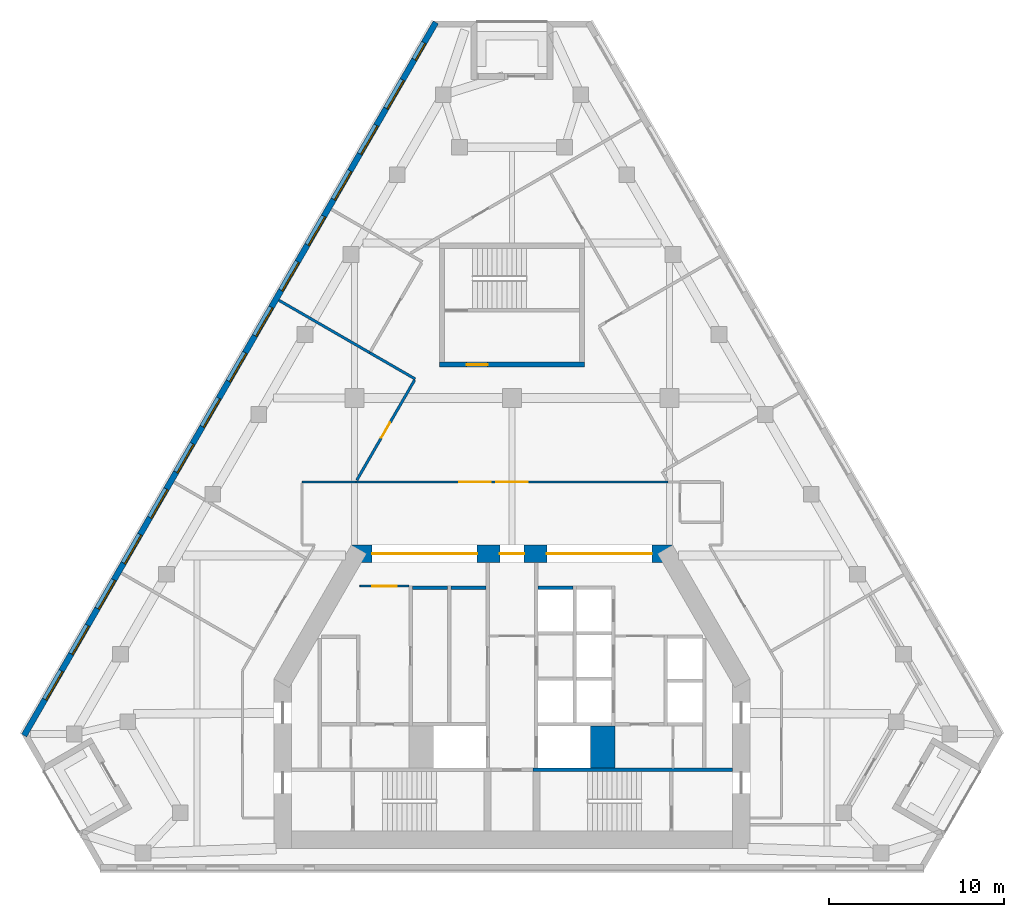
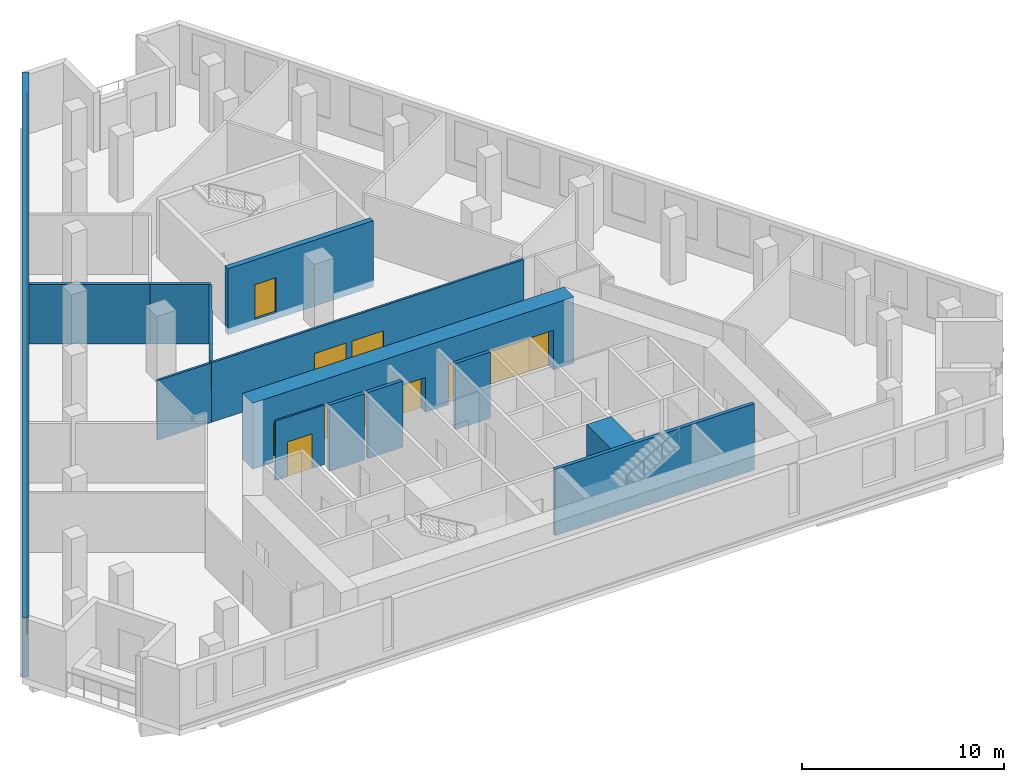
# One storey, part 5 of 9: 15 windows, 14 walls, 8 doors, 23 openings.
"""IFC4 building model written with IfcOpenShell, lengths in metres."""

from ifc_helpers import new_model, si_unit, direction, frame, frame_2d, origin, place, context, subcontext, project, spatial, rectangle, extrude, material, layer, layer_set, type_object, element, fill, save


model = new_model("IFC4")

# Units and contexts
model_context = context("Model", 3, precision=1e-05, world=origin(), true_north=direction((0.0, 1.0)))
body_context = subcontext(model_context, "Body", "Model", "MODEL_VIEW")
ifc_project = project(units=[si_unit("LENGTHUNIT", "METRE"), si_unit("AREAUNIT", "SQUARE_METRE"), si_unit("VOLUMEUNIT", "CUBIC_METRE"), si_unit("PLANEANGLEUNIT", "RADIAN"), si_unit("MASSUNIT", "GRAM", prefix="KILO")], contexts=[model_context])

# Site, building, storey
site_placement = place(None, origin())
site = spatial("IfcSite", under=ifc_project, at=site_placement, CompositionType="ELEMENT")
building_placement = place(site_placement, origin())
building = spatial("IfcBuilding", under=site, at=building_placement, Name="Fogline Exchange Tower", CompositionType="ELEMENT")
storey_placement = place(building_placement, frame((0.0, 0.0, 186.10009765625)))
storey = spatial("IfcBuildingStorey", under=building, at=storey_placement, Name="L41", CompositionType="ELEMENT", Elevation=186.10009765625)

# Wall, opening, door
ifc_material_1 = material(Name="Blockwork partition", Category="masonry")
ifc_layer_1 = layer(ifc_material_1, 0.10009765625)
ifc_layer_set_1 = layer_set([ifc_layer_1], Name="CW10")
wall_type_1 = type_object("IfcWallType", Name="CW10", PredefinedType="PARTITIONING", material=ifc_layer_set_1)
wall_1_placement = place(storey_placement, frame((-8.699951171875, 16.25, 0.0), z_axis=(0.0, 0.0, 1.0), x_axis=(1.0, 0.0, 0.0)))
wall_1 = element("IfcWall", 1, at=wall_1_placement, inside=storey, type_object=wall_type_1, Name="Lift lobby partition", PredefinedType="PARTITIONING", context=body_context, shape_type="SweptSolid", body=[
    extrude(rectangle(XDim=2.800048828125, YDim=0.10009765625, at=frame_2d((1.39990234375, 0.0))), origin(), (0.0, 0.0, 1.0), 3.599853515625),
])
opening_1_placement = place(wall_1_placement, frame((0.699951171875, 0.0, 0.0)))
opening_1 = element("IfcOpeningElement", 2, at=opening_1_placement, cuts=wall_1, Name="Opening T13-C006", PredefinedType="OPENING", context=body_context, shape_type="SweptSolid", body=[
    extrude(rectangle(XDim=1.39990234375, YDim=2.10009765625, at=frame_2d((0.699951171875, 1.050048828125))), frame((0.0, 0.06005859375, 0.0), z_axis=(0.0, -1.0, 0.0), x_axis=(1.0, 0.0, 0.0)), (0.0, 0.0, 1.0), 0.1201171875),
])
ifc_material_2 = material(Name="Steel and timber fire door", Category="steel")
door_type_1 = type_object("IfcDoorType", Name="D-LB1", OperationType="DOUBLE_DOOR_SINGLE_SWING", PredefinedType="DOOR", material=ifc_material_2)
door_1_placement = place(opening_1_placement, origin())
door_1 = element("IfcDoor", 3, at=door_1_placement, inside=storey, type_object=door_type_1, Name="Door to lift lobby", OperationType="DOUBLE_DOOR_SINGLE_SWING", OverallHeight=2.10009765625, OverallWidth=1.39990234375, PredefinedType="DOOR", context=body_context, shape_type="SweptSolid", body=[
    extrude(rectangle(XDim=1.39990234375, YDim=2.10009765625, at=frame_2d((0.699951171875, 1.050048828125))), frame((0.0, 0.02490234375, 0.0), z_axis=(0.0, -1.0, 0.0), x_axis=(1.0, 0.0, 0.0)), (0.0, 0.0, 1.0), 0.050048828125),
])
fill(opening_1, door_1)

# Walls
ifc_material_3 = material(Name="Concrete C60", Category="concrete")
ifc_layer_2 = layer(ifc_material_3, 1.39990234375)
ifc_layer_set_2 = layer_set([ifc_layer_2], Name="CW140")
wall_type_2 = type_object("IfcWallType", Name="CW140", PredefinedType="SOLIDWALL", material=ifc_layer_set_2)
wall_2_placement = place(storey_placement, frame((5.199951171875, 5.85009765625, -0.400146484375), z_axis=(0.0, 0.0, 1.0), x_axis=(0.0, 1.0, 0.0)))
element("IfcWall", 4, at=wall_2_placement, inside=storey, type_object=wall_type_2, Name="Lift shaft block wall", PredefinedType="SOLIDWALL", context=body_context, shape_type="SweptSolid", body=[
    extrude(rectangle(XDim=2.39990234375, YDim=1.39990234375, at=frame_2d((1.199951171875, 0.0))), origin(), (0.0, 0.0, 1.0), 4.0),
])
ifc_material_4 = material(Name="Concrete C40", Category="concrete")
ifc_layer_3 = layer(ifc_material_4, 0.199951171875)
ifc_layer_set_3 = layer_set([ifc_layer_3], Name="CW20R")
wall_type_3 = type_object("IfcWallType", Name="CW20R", PredefinedType="SOLIDWALL", material=ifc_layer_set_3)
wall_3_placement = place(storey_placement, frame((1.199951171875, 5.75, -0.400146484375), z_axis=(0.0, 0.0, 1.0), x_axis=(1.0, 0.0, 0.0)))
element("IfcWall", 5, at=wall_3_placement, inside=storey, type_object=wall_type_3, Name="Stair enclosure wall", PredefinedType="SOLIDWALL", context=body_context, shape_type="SweptSolid", body=[
    extrude(rectangle(XDim=11.400146484375, YDim=0.199951171875, at=frame_2d((5.7001953125, 0.0))), origin(), (0.0, 0.0, 1.0), 4.0),
])
ifc_layer_4 = layer(ifc_material_4, 0.199951171875)
ifc_layer_set_4 = layer_set([ifc_layer_4], Name="CW20S")
wall_type_4 = type_object("IfcWallType", Name="CW20S", PredefinedType="SOLIDWALL", material=ifc_layer_set_4)
for number, where, z_axis, x_axis, name in (
    (6, (-5.699951171875, 16.14990234375, -0.400146484375), (0.0, 0.0, 1.0), (1.0, 0.0, 0.0), "Lift shaft wall"),
    (7, (-3.5, 16.14990234375, -0.400146484375), (0.0, 0.0, 1.0), (1.0, 0.0, 0.0), "Lift shaft wall"),
    (8, (1.5, 16.14990234375, -0.400146484375), (0.0, 0.0, 1.0), (1.0, 0.0, 0.0), "Lift shaft wall"),
):
    element("IfcWall", number, at=place(storey_placement, frame(where, z_axis=z_axis, x_axis=x_axis)), inside=storey, type_object=wall_type_4, Name=name, PredefinedType="SOLIDWALL", context=body_context, shape_type="SweptSolid", body=[
        extrude(rectangle(XDim=2.0, YDim=0.199951171875, at=frame_2d((1.0, 0.0))), origin(), (0.0, 0.0, 1.0), 4.0),
    ])

# Wall, opening, door
ifc_layer_5 = layer(ifc_material_4, 0.300048828125)
ifc_layer_set_5 = layer_set([ifc_layer_5], Name="CW30")
wall_type_5 = type_object("IfcWallType", Name="CW30", PredefinedType="SOLIDWALL", material=ifc_layer_set_5)
wall_4_placement = place(storey_placement, frame((-4.14990234375, 28.906982421875, -0.400146484375), z_axis=(0.0, 0.0, 1.0), x_axis=(1.0, 0.0, 0.0)))
wall_4 = element("IfcWall", 9, at=wall_4_placement, inside=storey, type_object=wall_type_5, Name="Stair enclosure wall ST3", PredefinedType="SOLIDWALL", context=body_context, shape_type="SweptSolid", body=[
    extrude(rectangle(XDim=8.2998046875, YDim=0.300048828125, at=frame_2d((4.14990234375, 0.0))), origin(), (0.0, 0.0, 1.0), 4.0),
])
opening_2_placement = place(wall_4_placement, frame((1.550048828125, 0.0, 0.39990234375)))
opening_2 = element("IfcOpeningElement", 10, at=opening_2_placement, cuts=wall_4, Name="Opening T13-C022", PredefinedType="OPENING", context=body_context, shape_type="SweptSolid", body=[
    extrude(rectangle(XDim=1.199951171875, YDim=2.10009765625, at=frame_2d((0.60009765625, 1.050048828125))), frame((0.0, 0.16015625, 0.0), z_axis=(0.0, -1.0, 0.0), x_axis=(1.0, 0.0, 0.0)), (0.0, 0.0, 1.0), 0.320068359375),
])
door_type_2 = type_object("IfcDoorType", Name="D-FR1", OperationType="SINGLE_SWING_RIGHT", PredefinedType="DOOR", material=ifc_material_2)
door_2_placement = place(opening_2_placement, origin())
door_2 = element("IfcDoor", 11, at=door_2_placement, inside=storey, type_object=door_type_2, Name="Front room door ST3", OperationType="SINGLE_SWING_LEFT", OverallHeight=2.10009765625, OverallWidth=1.199951171875, PredefinedType="DOOR", context=body_context, shape_type="SweptSolid", body=[
    extrude(rectangle(XDim=1.199951171875, YDim=2.10009765625, at=frame_2d((0.60009765625, 1.050048828125))), frame((0.0, 0.02490234375, 0.0), z_axis=(0.0, -1.0, 0.0), x_axis=(1.0, 0.0, 0.0)), (0.0, 0.0, 1.0), 0.050048828125),
])
fill(opening_2, door_2)

# Wall, openings, windows
ifc_material_5 = material(Name="Brick masonry", Category="masonry")
ifc_layer_6 = layer(ifc_material_5, 0.340087890625)
ifc_layer_set_6 = layer_set([ifc_layer_6], Name="FW1")
wall_type_6 = type_object("IfcWallType", Name="FW1", PredefinedType="SOLIDWALL", material=ifc_layer_set_6)
wall_5_placement = place(storey_placement, frame((-4.352783203125, 48.466552734375, 0.0), z_axis=(0.0, 0.0, 1.0), x_axis=(-0.499999966388, -0.86602542319, 0.0)))
wall_5 = element("IfcWall", 12, at=wall_5_placement, inside=storey, type_object=wall_type_6, Name="Brick wall L41 W", PredefinedType="SOLIDWALL", context=body_context, shape_type="SweptSolid", body=[
    extrude(rectangle(XDim=47.0625, YDim=0.340087890625, at=frame_2d((23.53125, 0.0))), origin(), (0.0, 0.0, 1.0), 3.599853515625),
])
opening_3_placement = place(wall_5_placement, frame((3.796875, 0.0, 0.89990234375)))
opening_3 = element("IfcOpeningElement", 13, at=opening_3_placement, cuts=wall_5, Name="Opening W1", PredefinedType="OPENING", context=body_context, shape_type="SweptSolid", body=[
    extrude(rectangle(XDim=1.885009765625, YDim=2.39990234375, at=frame_2d((0.9423828125, 1.199951171875))), frame((0.0, 0.18017578125, 0.0), z_axis=(0.0, -1.0, 0.0), x_axis=(1.0, 0.0, 0.0)), (0.0, 0.0, 1.0), 0.360107421875),
])
opening_4_placement = place(wall_5_placement, frame((6.796875, 0.0, 0.89990234375)))
opening_4 = element("IfcOpeningElement", 14, at=opening_4_placement, cuts=wall_5, Name="Opening W1", PredefinedType="OPENING", context=body_context, shape_type="SweptSolid", body=[
    extrude(rectangle(XDim=1.885009765625, YDim=2.39990234375, at=frame_2d((0.9423828125, 1.199951171875))), frame((0.0, 0.18017578125, 0.0), z_axis=(0.0, -1.0, 0.0), x_axis=(1.0, 0.0, 0.0)), (0.0, 0.0, 1.0), 0.360107421875),
])
opening_5_placement = place(wall_5_placement, frame((9.796875, 0.0, 0.89990234375)))
opening_5 = element("IfcOpeningElement", 15, at=opening_5_placement, cuts=wall_5, Name="Opening W1", PredefinedType="OPENING", context=body_context, shape_type="SweptSolid", body=[
    extrude(rectangle(XDim=1.885009765625, YDim=2.39990234375, at=frame_2d((0.9423828125, 1.199951171875))), frame((0.0, 0.18017578125, 0.0), z_axis=(0.0, -1.0, 0.0), x_axis=(1.0, 0.0, 0.0)), (0.0, 0.0, 1.0), 0.360107421875),
])
opening_6_placement = place(wall_5_placement, frame((12.796875, 0.0, 0.89990234375)))
opening_6 = element("IfcOpeningElement", 16, at=opening_6_placement, cuts=wall_5, Name="Opening W1", PredefinedType="OPENING", context=body_context, shape_type="SweptSolid", body=[
    extrude(rectangle(XDim=1.885009765625, YDim=2.39990234375, at=frame_2d((0.9423828125, 1.199951171875))), frame((0.0, 0.18017578125, 0.0), z_axis=(0.0, -1.0, 0.0), x_axis=(1.0, 0.0, 0.0)), (0.0, 0.0, 1.0), 0.360107421875),
])
opening_7_placement = place(wall_5_placement, frame((15.796875, 0.0, 0.89990234375)))
opening_7 = element("IfcOpeningElement", 17, at=opening_7_placement, cuts=wall_5, Name="Opening W1", PredefinedType="OPENING", context=body_context, shape_type="SweptSolid", body=[
    extrude(rectangle(XDim=1.885009765625, YDim=2.39990234375, at=frame_2d((0.9423828125, 1.199951171875))), frame((0.0, 0.18017578125, 0.0), z_axis=(0.0, -1.0, 0.0), x_axis=(1.0, 0.0, 0.0)), (0.0, 0.0, 1.0), 0.360107421875),
])
opening_8_placement = place(wall_5_placement, frame((18.796875, 0.0, 0.89990234375)))
opening_8 = element("IfcOpeningElement", 18, at=opening_8_placement, cuts=wall_5, Name="Opening W1", PredefinedType="OPENING", context=body_context, shape_type="SweptSolid", body=[
    extrude(rectangle(XDim=1.885009765625, YDim=2.39990234375, at=frame_2d((0.9423828125, 1.199951171875))), frame((0.0, 0.18017578125, 0.0), z_axis=(0.0, -1.0, 0.0), x_axis=(1.0, 0.0, 0.0)), (0.0, 0.0, 1.0), 0.360107421875),
])
opening_9_placement = place(wall_5_placement, frame((21.796875, 0.0, 0.89990234375)))
opening_9 = element("IfcOpeningElement", 19, at=opening_9_placement, cuts=wall_5, Name="Opening W1", PredefinedType="OPENING", context=body_context, shape_type="SweptSolid", body=[
    extrude(rectangle(XDim=1.885009765625, YDim=2.39990234375, at=frame_2d((0.9423828125, 1.199951171875))), frame((0.0, 0.18017578125, 0.0), z_axis=(0.0, -1.0, 0.0), x_axis=(1.0, 0.0, 0.0)), (0.0, 0.0, 1.0), 0.360107421875),
])
opening_10_placement = place(wall_5_placement, frame((24.796875, 0.0, 0.89990234375)))
opening_10 = element("IfcOpeningElement", 20, at=opening_10_placement, cuts=wall_5, Name="Opening W1", PredefinedType="OPENING", context=body_context, shape_type="SweptSolid", body=[
    extrude(rectangle(XDim=1.885009765625, YDim=2.39990234375, at=frame_2d((0.9423828125, 1.199951171875))), frame((0.0, 0.18017578125, 0.0), z_axis=(0.0, -1.0, 0.0), x_axis=(1.0, 0.0, 0.0)), (0.0, 0.0, 1.0), 0.360107421875),
])
opening_11_placement = place(wall_5_placement, frame((27.796875, 0.0, 0.89990234375)))
opening_11 = element("IfcOpeningElement", 21, at=opening_11_placement, cuts=wall_5, Name="Opening W1", PredefinedType="OPENING", context=body_context, shape_type="SweptSolid", body=[
    extrude(rectangle(XDim=1.885009765625, YDim=2.39990234375, at=frame_2d((0.9423828125, 1.199951171875))), frame((0.0, 0.18017578125, 0.0), z_axis=(0.0, -1.0, 0.0), x_axis=(1.0, 0.0, 0.0)), (0.0, 0.0, 1.0), 0.360107421875),
])
opening_12_placement = place(wall_5_placement, frame((30.796875, 0.0, 0.89990234375)))
opening_12 = element("IfcOpeningElement", 22, at=opening_12_placement, cuts=wall_5, Name="Opening W1", PredefinedType="OPENING", context=body_context, shape_type="SweptSolid", body=[
    extrude(rectangle(XDim=1.885009765625, YDim=2.39990234375, at=frame_2d((0.9423828125, 1.199951171875))), frame((0.0, 0.18017578125, 0.0), z_axis=(0.0, -1.0, 0.0), x_axis=(1.0, 0.0, 0.0)), (0.0, 0.0, 1.0), 0.360107421875),
])
opening_13_placement = place(wall_5_placement, frame((33.796875, 0.0, 0.89990234375)))
opening_13 = element("IfcOpeningElement", 23, at=opening_13_placement, cuts=wall_5, Name="Opening W1", PredefinedType="OPENING", context=body_context, shape_type="SweptSolid", body=[
    extrude(rectangle(XDim=1.885009765625, YDim=2.39990234375, at=frame_2d((0.9423828125, 1.199951171875))), frame((0.0, 0.18017578125, 0.0), z_axis=(0.0, -1.0, 0.0), x_axis=(1.0, 0.0, 0.0)), (0.0, 0.0, 1.0), 0.360107421875),
])
opening_14_placement = place(wall_5_placement, frame((36.796875, 0.0, 0.89990234375)))
opening_14 = element("IfcOpeningElement", 24, at=opening_14_placement, cuts=wall_5, Name="Opening W1", PredefinedType="OPENING", context=body_context, shape_type="SweptSolid", body=[
    extrude(rectangle(XDim=1.885009765625, YDim=2.39990234375, at=frame_2d((0.9423828125, 1.199951171875))), frame((0.0, 0.18017578125, 0.0), z_axis=(0.0, -1.0, 0.0), x_axis=(1.0, 0.0, 0.0)), (0.0, 0.0, 1.0), 0.360107421875),
])
opening_15_placement = place(wall_5_placement, frame((39.796875, 0.0, 0.89990234375)))
opening_15 = element("IfcOpeningElement", 25, at=opening_15_placement, cuts=wall_5, Name="Opening W1", PredefinedType="OPENING", context=body_context, shape_type="SweptSolid", body=[
    extrude(rectangle(XDim=1.885009765625, YDim=2.39990234375, at=frame_2d((0.9423828125, 1.199951171875))), frame((0.0, 0.18017578125, 0.0), z_axis=(0.0, -1.0, 0.0), x_axis=(1.0, 0.0, 0.0)), (0.0, 0.0, 1.0), 0.360107421875),
])
opening_16_placement = place(wall_5_placement, frame((42.796875, 0.0, 0.89990234375)))
opening_16 = element("IfcOpeningElement", 26, at=opening_16_placement, cuts=wall_5, Name="Opening W1", PredefinedType="OPENING", context=body_context, shape_type="SweptSolid", body=[
    extrude(rectangle(XDim=1.885009765625, YDim=2.39990234375, at=frame_2d((0.9423828125, 1.199951171875))), frame((0.0, 0.18017578125, 0.0), z_axis=(0.0, -1.0, 0.0), x_axis=(1.0, 0.0, 0.0)), (0.0, 0.0, 1.0), 0.360107421875),
])
opening_17_placement = place(wall_5_placement, frame((1.341064453125, 0.0, 0.89990234375)))
opening_17 = element("IfcOpeningElement", 27, at=opening_17_placement, cuts=wall_5, Name="Opening W4", PredefinedType="OPENING", context=body_context, shape_type="SweptSolid", body=[
    extrude(rectangle(XDim=1.114990234375, YDim=2.39990234375, at=frame_2d((0.5576171875, 1.199951171875))), frame((0.0, 0.18017578125, 0.0), z_axis=(0.0, -1.0, 0.0), x_axis=(1.0, 0.0, 0.0)), (0.0, 0.0, 1.0), 0.360107421875),
])
ifc_material_6 = material(Name="Aluminium and glass", Category="aluminium")
window_type_1 = type_object("IfcWindowType", Name="W1", PartitioningType="SINGLE_PANEL", PredefinedType="WINDOW", material=ifc_material_6)
window_1_placement = place(opening_3_placement, origin())
window_1 = element("IfcWindow", 28, at=window_1_placement, inside=storey, type_object=window_type_1, Name="W1 W1", OverallHeight=2.39990234375, OverallWidth=1.885009765625, PartitioningType="SINGLE_PANEL", PredefinedType="WINDOW", context=body_context, shape_type="SweptSolid", body=[
    extrude(rectangle(XDim=1.885009765625, YDim=2.39990234375, at=frame_2d((0.9423828125, 1.199951171875))), frame((0.0, 0.110107421875, 0.0), z_axis=(0.0, -1.0, 0.0), x_axis=(1.0, 0.0, 0.0)), (0.0, 0.0, 1.0), 0.06005859375),
])
fill(opening_3, window_1)
window_2_placement = place(opening_4_placement, origin())
window_2 = element("IfcWindow", 29, at=window_2_placement, inside=storey, type_object=window_type_1, Name="W1 W1", OverallHeight=2.39990234375, OverallWidth=1.885009765625, PartitioningType="SINGLE_PANEL", PredefinedType="WINDOW", context=body_context, shape_type="SweptSolid", body=[
    extrude(rectangle(XDim=1.885009765625, YDim=2.39990234375, at=frame_2d((0.9423828125, 1.199951171875))), frame((0.0, 0.110107421875, 0.0), z_axis=(0.0, -1.0, 0.0), x_axis=(1.0, 0.0, 0.0)), (0.0, 0.0, 1.0), 0.06005859375),
])
fill(opening_4, window_2)
window_3_placement = place(opening_5_placement, origin())
window_3 = element("IfcWindow", 30, at=window_3_placement, inside=storey, type_object=window_type_1, Name="W1 W1", OverallHeight=2.39990234375, OverallWidth=1.885009765625, PartitioningType="SINGLE_PANEL", PredefinedType="WINDOW", context=body_context, shape_type="SweptSolid", body=[
    extrude(rectangle(XDim=1.885009765625, YDim=2.39990234375, at=frame_2d((0.9423828125, 1.199951171875))), frame((0.0, 0.110107421875, 0.0), z_axis=(0.0, -1.0, 0.0), x_axis=(1.0, 0.0, 0.0)), (0.0, 0.0, 1.0), 0.06005859375),
])
fill(opening_5, window_3)
window_4_placement = place(opening_6_placement, origin())
window_4 = element("IfcWindow", 31, at=window_4_placement, inside=storey, type_object=window_type_1, Name="W1 W1", OverallHeight=2.39990234375, OverallWidth=1.885009765625, PartitioningType="SINGLE_PANEL", PredefinedType="WINDOW", context=body_context, shape_type="SweptSolid", body=[
    extrude(rectangle(XDim=1.885009765625, YDim=2.39990234375, at=frame_2d((0.9423828125, 1.199951171875))), frame((0.0, 0.110107421875, 0.0), z_axis=(0.0, -1.0, 0.0), x_axis=(1.0, 0.0, 0.0)), (0.0, 0.0, 1.0), 0.06005859375),
])
fill(opening_6, window_4)
window_5_placement = place(opening_7_placement, origin())
window_5 = element("IfcWindow", 32, at=window_5_placement, inside=storey, type_object=window_type_1, Name="W1 W1", OverallHeight=2.39990234375, OverallWidth=1.885009765625, PartitioningType="SINGLE_PANEL", PredefinedType="WINDOW", context=body_context, shape_type="SweptSolid", body=[
    extrude(rectangle(XDim=1.885009765625, YDim=2.39990234375, at=frame_2d((0.9423828125, 1.199951171875))), frame((0.0, 0.110107421875, 0.0), z_axis=(0.0, -1.0, 0.0), x_axis=(1.0, 0.0, 0.0)), (0.0, 0.0, 1.0), 0.06005859375),
])
fill(opening_7, window_5)
window_6_placement = place(opening_8_placement, origin())
window_6 = element("IfcWindow", 33, at=window_6_placement, inside=storey, type_object=window_type_1, Name="W1 W1", OverallHeight=2.39990234375, OverallWidth=1.885009765625, PartitioningType="SINGLE_PANEL", PredefinedType="WINDOW", context=body_context, shape_type="SweptSolid", body=[
    extrude(rectangle(XDim=1.885009765625, YDim=2.39990234375, at=frame_2d((0.9423828125, 1.199951171875))), frame((0.0, 0.110107421875, 0.0), z_axis=(0.0, -1.0, 0.0), x_axis=(1.0, 0.0, 0.0)), (0.0, 0.0, 1.0), 0.06005859375),
])
fill(opening_8, window_6)
window_7_placement = place(opening_9_placement, origin())
window_7 = element("IfcWindow", 34, at=window_7_placement, inside=storey, type_object=window_type_1, Name="W1 W1", OverallHeight=2.39990234375, OverallWidth=1.885009765625, PartitioningType="SINGLE_PANEL", PredefinedType="WINDOW", context=body_context, shape_type="SweptSolid", body=[
    extrude(rectangle(XDim=1.885009765625, YDim=2.39990234375, at=frame_2d((0.9423828125, 1.199951171875))), frame((0.0, 0.110107421875, 0.0), z_axis=(0.0, -1.0, 0.0), x_axis=(1.0, 0.0, 0.0)), (0.0, 0.0, 1.0), 0.06005859375),
])
fill(opening_9, window_7)
window_8_placement = place(opening_10_placement, origin())
window_8 = element("IfcWindow", 35, at=window_8_placement, inside=storey, type_object=window_type_1, Name="W1 W1", OverallHeight=2.39990234375, OverallWidth=1.885009765625, PartitioningType="SINGLE_PANEL", PredefinedType="WINDOW", context=body_context, shape_type="SweptSolid", body=[
    extrude(rectangle(XDim=1.885009765625, YDim=2.39990234375, at=frame_2d((0.9423828125, 1.199951171875))), frame((0.0, 0.110107421875, 0.0), z_axis=(0.0, -1.0, 0.0), x_axis=(1.0, 0.0, 0.0)), (0.0, 0.0, 1.0), 0.06005859375),
])
fill(opening_10, window_8)
window_9_placement = place(opening_11_placement, origin())
window_9 = element("IfcWindow", 36, at=window_9_placement, inside=storey, type_object=window_type_1, Name="W1 W1", OverallHeight=2.39990234375, OverallWidth=1.885009765625, PartitioningType="SINGLE_PANEL", PredefinedType="WINDOW", context=body_context, shape_type="SweptSolid", body=[
    extrude(rectangle(XDim=1.885009765625, YDim=2.39990234375, at=frame_2d((0.9423828125, 1.199951171875))), frame((0.0, 0.110107421875, 0.0), z_axis=(0.0, -1.0, 0.0), x_axis=(1.0, 0.0, 0.0)), (0.0, 0.0, 1.0), 0.06005859375),
])
fill(opening_11, window_9)
window_10_placement = place(opening_12_placement, origin())
window_10 = element("IfcWindow", 37, at=window_10_placement, inside=storey, type_object=window_type_1, Name="W1 W1", OverallHeight=2.39990234375, OverallWidth=1.885009765625, PartitioningType="SINGLE_PANEL", PredefinedType="WINDOW", context=body_context, shape_type="SweptSolid", body=[
    extrude(rectangle(XDim=1.885009765625, YDim=2.39990234375, at=frame_2d((0.9423828125, 1.199951171875))), frame((0.0, 0.110107421875, 0.0), z_axis=(0.0, -1.0, 0.0), x_axis=(1.0, 0.0, 0.0)), (0.0, 0.0, 1.0), 0.06005859375),
])
fill(opening_12, window_10)
window_11_placement = place(opening_13_placement, origin())
window_11 = element("IfcWindow", 38, at=window_11_placement, inside=storey, type_object=window_type_1, Name="W1 W1", OverallHeight=2.39990234375, OverallWidth=1.885009765625, PartitioningType="SINGLE_PANEL", PredefinedType="WINDOW", context=body_context, shape_type="SweptSolid", body=[
    extrude(rectangle(XDim=1.885009765625, YDim=2.39990234375, at=frame_2d((0.9423828125, 1.199951171875))), frame((0.0, 0.110107421875, 0.0), z_axis=(0.0, -1.0, 0.0), x_axis=(1.0, 0.0, 0.0)), (0.0, 0.0, 1.0), 0.06005859375),
])
fill(opening_13, window_11)
window_12_placement = place(opening_14_placement, origin())
window_12 = element("IfcWindow", 39, at=window_12_placement, inside=storey, type_object=window_type_1, Name="W1 W1", OverallHeight=2.39990234375, OverallWidth=1.885009765625, PartitioningType="SINGLE_PANEL", PredefinedType="WINDOW", context=body_context, shape_type="SweptSolid", body=[
    extrude(rectangle(XDim=1.885009765625, YDim=2.39990234375, at=frame_2d((0.9423828125, 1.199951171875))), frame((0.0, 0.110107421875, 0.0), z_axis=(0.0, -1.0, 0.0), x_axis=(1.0, 0.0, 0.0)), (0.0, 0.0, 1.0), 0.06005859375),
])
fill(opening_14, window_12)
window_13_placement = place(opening_15_placement, origin())
window_13 = element("IfcWindow", 40, at=window_13_placement, inside=storey, type_object=window_type_1, Name="W1 W1", OverallHeight=2.39990234375, OverallWidth=1.885009765625, PartitioningType="SINGLE_PANEL", PredefinedType="WINDOW", context=body_context, shape_type="SweptSolid", body=[
    extrude(rectangle(XDim=1.885009765625, YDim=2.39990234375, at=frame_2d((0.9423828125, 1.199951171875))), frame((0.0, 0.110107421875, 0.0), z_axis=(0.0, -1.0, 0.0), x_axis=(1.0, 0.0, 0.0)), (0.0, 0.0, 1.0), 0.06005859375),
])
fill(opening_15, window_13)
window_14_placement = place(opening_16_placement, origin())
window_14 = element("IfcWindow", 41, at=window_14_placement, inside=storey, type_object=window_type_1, Name="W1 W1", OverallHeight=2.39990234375, OverallWidth=1.885009765625, PartitioningType="SINGLE_PANEL", PredefinedType="WINDOW", context=body_context, shape_type="SweptSolid", body=[
    extrude(rectangle(XDim=1.885009765625, YDim=2.39990234375, at=frame_2d((0.9423828125, 1.199951171875))), frame((0.0, 0.110107421875, 0.0), z_axis=(0.0, -1.0, 0.0), x_axis=(1.0, 0.0, 0.0)), (0.0, 0.0, 1.0), 0.06005859375),
])
fill(opening_16, window_14)
window_type_2 = type_object("IfcWindowType", Name="W4", PartitioningType="SINGLE_PANEL", PredefinedType="WINDOW", material=ifc_material_6)
window_15_placement = place(opening_17_placement, origin())
window_15 = element("IfcWindow", 42, at=window_15_placement, inside=storey, type_object=window_type_2, Name="W4 W4", OverallHeight=2.39990234375, OverallWidth=1.114990234375, PartitioningType="SINGLE_PANEL", PredefinedType="WINDOW", context=body_context, shape_type="SweptSolid", body=[
    extrude(rectangle(XDim=1.114990234375, YDim=2.39990234375, at=frame_2d((0.5576171875, 1.199951171875))), frame((0.0, 0.110107421875, 0.0), z_axis=(0.0, -1.0, 0.0), x_axis=(1.0, 0.0, 0.0)), (0.0, 0.0, 1.0), 0.06005859375),
])
fill(opening_17, window_15)

# Wall, openings, doors
ifc_material_7 = material(Name="Plasterboard corridor partition with mineral wool, 2 layers each side")
ifc_layer_7 = layer(ifc_material_7, 0.125)
ifc_layer_set_7 = layer_set([ifc_layer_7], Name="PW2")
wall_type_7 = type_object("IfcWallType", Name="PW2", PredefinedType="PARTITIONING", material=ifc_layer_set_7)
wall_6_placement = place(storey_placement, frame((-8.92919921875, 22.199951171875, 0.0), z_axis=(0.0, 0.0, 1.0), x_axis=(1.0, 0.0, 0.0)))
wall_6 = element("IfcWall", 43, at=wall_6_placement, inside=storey, type_object=wall_type_7, Name="wall-L41-W010", PredefinedType="PARTITIONING", context=body_context, shape_type="SweptSolid", body=[
    extrude(rectangle(XDim=17.8583984375, YDim=0.125, at=frame_2d((8.92919921875, 0.0))), origin(), (0.0, 0.0, 1.0), 3.599853515625),
])
opening_18_placement = place(wall_6_placement, frame((5.90771484375, 0.0, 0.0)))
opening_18 = element("IfcOpeningElement", 44, at=opening_18_placement, cuts=wall_6, Name="Opening T13-D004", PredefinedType="OPENING", context=body_context, shape_type="SweptSolid", body=[
    extrude(rectangle(XDim=1.800048828125, YDim=2.10009765625, at=frame_2d((0.89990234375, 1.050048828125))), frame((0.0, 0.072509765625, 0.0), z_axis=(0.0, -1.0, 0.0), x_axis=(1.0, 0.0, 0.0)), (0.0, 0.0, 1.0), 0.14501953125),
])
opening_19_placement = place(wall_6_placement, frame((8.029296875, 0.0, 0.0)))
opening_19 = element("IfcOpeningElement", 45, at=opening_19_placement, cuts=wall_6, Name="Opening T13-D005", PredefinedType="OPENING", context=body_context, shape_type="SweptSolid", body=[
    extrude(rectangle(XDim=1.800048828125, YDim=2.10009765625, at=frame_2d((0.89990234375, 1.050048828125))), frame((0.0, 0.072509765625, 0.0), z_axis=(0.0, -1.0, 0.0), x_axis=(1.0, 0.0, 0.0)), (0.0, 0.0, 1.0), 0.14501953125),
])
ifc_material_8 = material(Name="Fire-rated timber door leaves with steel frame", Category="steel")
door_type_3 = type_object("IfcDoorType", Name="D4", OperationType="DOUBLE_DOOR_SINGLE_SWING", PredefinedType="DOOR", material=ifc_material_8)
door_3_placement = place(opening_18_placement, frame((1.800048828125, 0.0, 0.0), z_axis=(0.0, 0.0, 1.0), x_axis=(-1.0, 0.0, 0.0)))
door_3 = element("IfcDoor", 46, at=door_3_placement, inside=storey, type_object=door_type_3, Name="door-L41-D004", OperationType="DOUBLE_DOOR_SINGLE_SWING", OverallHeight=2.10009765625, OverallWidth=1.800048828125, PredefinedType="DOOR", context=body_context, shape_type="SweptSolid", body=[
    extrude(rectangle(XDim=1.800048828125, YDim=2.10009765625, at=frame_2d((0.89990234375, 1.050048828125))), frame((0.0, 0.02490234375, 0.0), z_axis=(0.0, -1.0, 0.0), x_axis=(1.0, 0.0, 0.0)), (0.0, 0.0, 1.0), 0.050048828125),
])
fill(opening_18, door_3)
door_4_placement = place(opening_19_placement, frame((1.800048828125, 0.0, 0.0), z_axis=(0.0, 0.0, 1.0), x_axis=(-1.0, 0.0, 0.0)))
door_4 = element("IfcDoor", 47, at=door_4_placement, inside=storey, type_object=door_type_3, Name="door-L41-D005", OperationType="DOUBLE_DOOR_SINGLE_SWING", OverallHeight=2.10009765625, OverallWidth=1.800048828125, PredefinedType="DOOR", context=body_context, shape_type="SweptSolid", body=[
    extrude(rectangle(XDim=1.800048828125, YDim=2.10009765625, at=frame_2d((0.89990234375, 1.050048828125))), frame((0.0, 0.02490234375, 0.0), z_axis=(0.0, -1.0, 0.0), x_axis=(1.0, 0.0, 0.0)), (0.0, 0.0, 1.0), 0.050048828125),
])
fill(opening_19, door_4)

# Wall
wall_7_placement = place(storey_placement, frame((-12.0, 22.199951171875, 0.0), z_axis=(0.0, 0.0, 1.0), x_axis=(1.0, 0.0, 0.0)))
element("IfcWall", 48, at=wall_7_placement, inside=storey, type_object=wall_type_7, Name="wall-L41-W013", PredefinedType="PARTITIONING", context=body_context, shape_type="SweptSolid", body=[
    extrude(rectangle(XDim=3.07080078125, YDim=0.125, at=frame_2d((1.535400390625, 0.0))), origin(), (0.0, 0.0, 1.0), 3.599853515625),
])

# Wall, opening, door
ifc_material_9 = material(Name="Plasterboard demising partition with mineral wool and acoustic board")
ifc_layer_8 = layer(ifc_material_9, 0.14990234375)
ifc_layer_set_8 = layer_set([ifc_layer_8], Name="PW3")
wall_type_8 = type_object("IfcWallType", Name="PW3", PredefinedType="PARTITIONING", material=ifc_layer_set_8)
wall_8_placement = place(storey_placement, frame((-8.87109375, 22.30029296875, 0.0), z_axis=(0.0, 0.0, 1.0), x_axis=(0.499975212895, 0.866039714153, 0.0)))
wall_8 = element("IfcWall", 49, at=wall_8_placement, inside=storey, type_object=wall_type_8, Name="wall-L41-W035", PredefinedType="PARTITIONING", context=body_context, shape_type="SweptSolid", body=[
    extrude(rectangle(XDim=6.605224609375, YDim=0.14990234375, at=frame_2d((3.302734375, 0.0))), origin(), (0.0, 0.0, 1.0), 3.599853515625),
])
opening_20_placement = place(wall_8_placement, frame((2.802734375, 0.0, 0.0)))
opening_20 = element("IfcOpeningElement", 50, at=opening_20_placement, cuts=wall_8, Name="Opening T13-D012", PredefinedType="OPENING", context=body_context, shape_type="SweptSolid", body=[
    extrude(rectangle(XDim=1.0, YDim=2.10009765625, at=frame_2d((0.5, 1.050048828125))), frame((0.0, 0.0849609375, 0.0), z_axis=(0.0, -1.0, 0.0), x_axis=(1.0, 0.0, 0.0)), (0.0, 0.0, 1.0), 0.169921875),
])
ifc_material_10 = material(Name="Fire-rated timber door leaf with steel frame", Category="steel")
door_type_4 = type_object("IfcDoorType", Name="D3", OperationType="SINGLE_SWING_LEFT", PredefinedType="DOOR", material=ifc_material_10)
door_5_placement = place(opening_20_placement, origin())
door_5 = element("IfcDoor", 51, at=door_5_placement, inside=storey, type_object=door_type_4, Name="door-L41-D012", OperationType="SINGLE_SWING_RIGHT", OverallHeight=2.10009765625, OverallWidth=1.0, PredefinedType="DOOR", context=body_context, shape_type="SweptSolid", body=[
    extrude(rectangle(XDim=1.0, YDim=2.10009765625, at=frame_2d((0.5, 1.050048828125))), frame((0.0, 0.02490234375, 0.0), z_axis=(0.0, -1.0, 0.0), x_axis=(1.0, 0.0, 0.0)), (0.0, 0.0, 1.0), 0.050048828125),
])
fill(opening_20, door_5)

# Walls
wall_9_placement = place(storey_placement, frame((-5.531005859375, 28.085693359375, 0.0), z_axis=(0.0, 0.0, 1.0), x_axis=(-0.866031096941, 0.499990139034, 0.0)))
element("IfcWall", 52, at=wall_9_placement, inside=storey, type_object=wall_type_8, Name="wall-L41-W036", PredefinedType="PARTITIONING", context=body_context, shape_type="SweptSolid", body=[
    extrude(rectangle(XDim=3.0, YDim=0.14990234375, at=frame_2d((1.5, 0.0))), origin(), (0.0, 0.0, 1.0), 3.599853515625),
])
wall_10_placement = place(storey_placement, frame((-8.129150390625, 29.585693359375, 0.0), z_axis=(0.0, 0.0, 1.0), x_axis=(-0.866020924479, 0.500007758305, 0.0)))
element("IfcWall", 53, at=wall_10_placement, inside=storey, type_object=wall_type_8, Name="wall-L41-W038", PredefinedType="PARTITIONING", context=body_context, shape_type="SweptSolid", body=[
    extrude(rectangle(XDim=6.0, YDim=0.14990234375, at=frame_2d((3.0, 0.0))), origin(), (0.0, 0.0, 1.0), 3.599853515625),
])

# Wall, openings, doors
ifc_layer_9 = layer(ifc_material_3, 1.0)
ifc_layer_set_9 = layer_set([ifc_layer_9], Name="SW03")
wall_type_9 = type_object("IfcWallType", Name="SW03", PredefinedType="SHEAR", material=ifc_layer_set_9)
wall_11_placement = place(storey_placement, frame((9.1806640625, 18.10009765625, 0.0), z_axis=(0.0, 0.0, 1.0), x_axis=(-1.0, 0.0, 0.0)))
wall_11 = element("IfcWall", 54, at=wall_11_placement, inside=storey, type_object=wall_type_9, Name="L41-W904", PredefinedType="SHEAR", context=body_context, shape_type="SweptSolid", body=[
    extrude(rectangle(XDim=18.361328125, YDim=1.0, at=frame_2d((9.1806640625, 0.0))), origin(), (0.0, 0.0, 1.0), 4.0),
])
opening_21_placement = place(wall_11_placement, frame((8.480712890625, 0.0, 0.0)))
opening_21 = element("IfcOpeningElement", 55, at=opening_21_placement, cuts=wall_11, Name="Opening T13-C019", PredefinedType="OPENING", context=body_context, shape_type="SweptSolid", body=[
    extrude(rectangle(XDim=1.39990234375, YDim=2.10009765625, at=frame_2d((0.699951171875, 1.050048828125))), frame((0.0, 0.510009765625, 0.0), z_axis=(0.0, -1.0, 0.0), x_axis=(1.0, 0.0, 0.0)), (0.0, 0.0, 1.0), 1.02001953125),
])
opening_22_placement = place(wall_11_placement, frame((11.1806640625, 0.0, 0.0)))
opening_22 = element("IfcOpeningElement", 56, at=opening_22_placement, cuts=wall_11, Name="Opening T13-C020", PredefinedType="OPENING", context=body_context, shape_type="SweptSolid", body=[
    extrude(rectangle(XDim=6.0, YDim=2.39990234375, at=frame_2d((3.0, 1.199951171875))), frame((0.0, 0.510009765625, 0.0), z_axis=(0.0, -1.0, 0.0), x_axis=(1.0, 0.0, 0.0)), (0.0, 0.0, 1.0), 1.02001953125),
])
opening_23_placement = place(wall_11_placement, frame((1.1806640625, 0.0, 0.0)))
opening_23 = element("IfcOpeningElement", 57, at=opening_23_placement, cuts=wall_11, Name="Opening T13-C021", PredefinedType="OPENING", context=body_context, shape_type="SweptSolid", body=[
    extrude(rectangle(XDim=6.0, YDim=2.39990234375, at=frame_2d((3.0, 1.199951171875))), frame((0.0, 0.510009765625, 0.0), z_axis=(0.0, -1.0, 0.0), x_axis=(1.0, 0.0, 0.0)), (0.0, 0.0, 1.0), 1.02001953125),
])
door_6_placement = place(opening_21_placement, origin())
door_6 = element("IfcDoor", 58, at=door_6_placement, inside=storey, type_object=door_type_1, Name="Protected lobby door", OperationType="DOUBLE_DOOR_SINGLE_SWING", OverallHeight=2.10009765625, OverallWidth=1.39990234375, PredefinedType="DOOR", context=body_context, shape_type="SweptSolid", body=[
    extrude(rectangle(XDim=1.39990234375, YDim=2.10009765625, at=frame_2d((0.699951171875, 1.050048828125))), frame((0.0, 0.02490234375, 0.0), z_axis=(0.0, -1.0, 0.0), x_axis=(1.0, 0.0, 0.0)), (0.0, 0.0, 1.0), 0.050048828125),
])
fill(opening_21, door_6)
door_type_5 = type_object("IfcDoorType", Name="D-LE1", OperationType="DOUBLE_DOOR_SLIDING", PredefinedType="DOOR", material=ifc_material_2)
door_7_placement = place(opening_22_placement, origin())
door_7 = element("IfcDoor", 59, at=door_7_placement, inside=storey, type_object=door_type_5, Name="Lift lobby entrance west", OperationType="DOUBLE_DOOR_SLIDING", OverallHeight=2.39990234375, OverallWidth=6.0, PredefinedType="DOOR", context=body_context, shape_type="SweptSolid", body=[
    extrude(rectangle(XDim=6.0, YDim=2.39990234375, at=frame_2d((3.0, 1.199951171875))), frame((0.0, 0.02490234375, 0.0), z_axis=(0.0, -1.0, 0.0), x_axis=(1.0, 0.0, 0.0)), (0.0, 0.0, 1.0), 0.050048828125),
])
fill(opening_22, door_7)
door_8_placement = place(opening_23_placement, origin())
door_8 = element("IfcDoor", 60, at=door_8_placement, inside=storey, type_object=door_type_5, Name="Lift lobby entrance east", OperationType="DOUBLE_DOOR_SLIDING", OverallHeight=2.39990234375, OverallWidth=6.0, PredefinedType="DOOR", context=body_context, shape_type="SweptSolid", body=[
    extrude(rectangle(XDim=6.0, YDim=2.39990234375, at=frame_2d((3.0, 1.199951171875))), frame((0.0, 0.02490234375, 0.0), z_axis=(0.0, -1.0, 0.0), x_axis=(1.0, 0.0, 0.0)), (0.0, 0.0, 1.0), 0.050048828125),
])
fill(opening_23, door_8)

save(model, "model.ifc")
